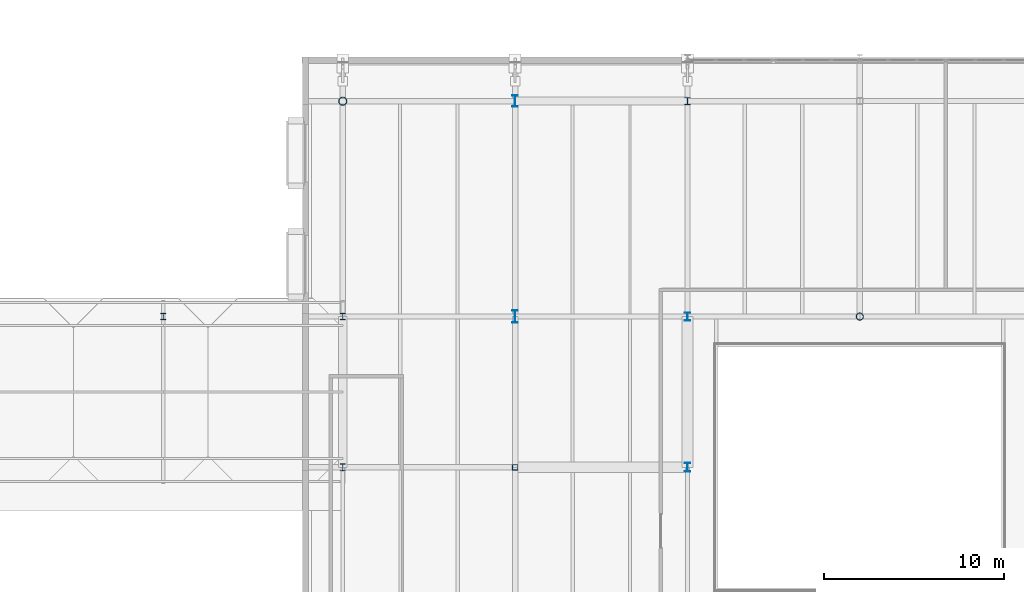
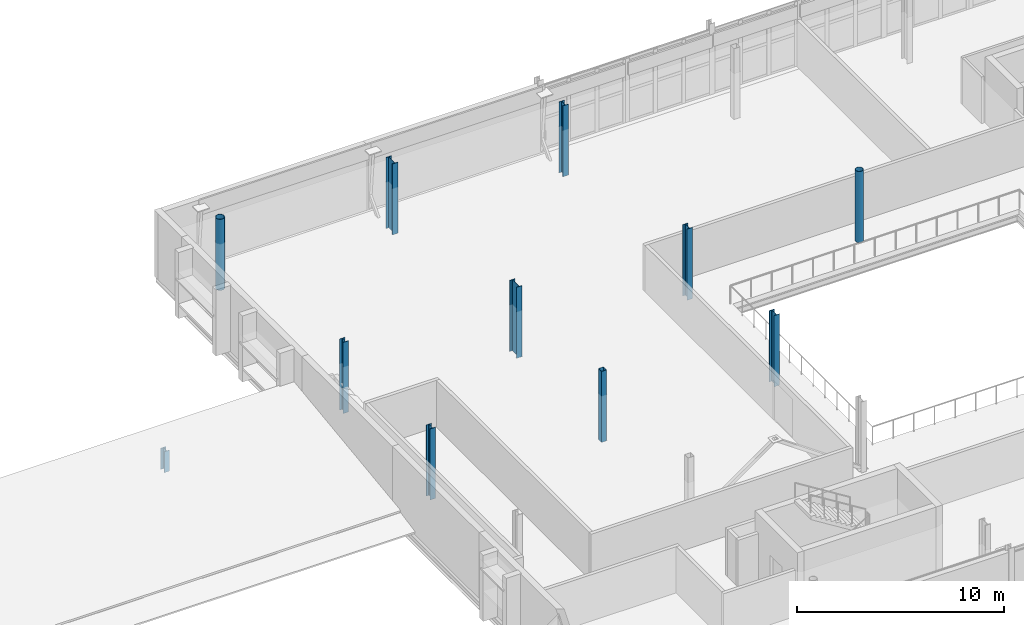
# One storey, part 7 of 90: 11 columns.
"""IFC4 building model written with IfcOpenShell, lengths in metres."""

import ifcopenshell
import ifcopenshell.guid

model = None  # the IFC model being written
_history = None  # IfcOwnerHistory: only IFC2X3 demands one
_inside = {}  # id of a spatial element -> (the spatial element, [elements in it])
_under = {}  # id of a project, library or spatial element -> (it, [spatial elements below it])
_declared = {}  # id of a project -> (the project, [libraries it declares])
_typed = {}  # id of a type object -> (the type object, [elements of that type])
_made_of = {}  # id of a material, layer set ... -> (it, [elements and type objects made of it])


def new_model(schema):
    """Start an empty IFC model of exactly this schema.

    Asked for "IFC4X3", IfcOpenShell would pick the latest addendum, in which some entities
    have other attributes; the version numbers below select the first issue.
    IFC2X3 requires an IfcOwnerHistory on every rooted entity: one is made here for all.
    """
    global model, _history
    if schema == "IFC4X3":
        model = ifcopenshell.file(schema_version=(4, 3, 0, 0))
    else:
        model = ifcopenshell.file(schema=schema)
    _inside.clear()
    _under.clear()
    _declared.clear()
    _typed.clear()
    _made_of.clear()
    _history = None
    if model.schema == "IFC2X3":
        org = make("IfcOrganization", Name="unknown")
        user = make(
            "IfcPersonAndOrganization",
            ThePerson=make("IfcPerson", FamilyName="unknown"),
            TheOrganization=org,
        )
        app = make(
            "IfcApplication",
            ApplicationDeveloper=org,
            Version="unknown",
            ApplicationFullName="unknown",
            ApplicationIdentifier="unknown",
        )
        _history = make(
            "IfcOwnerHistory",
            OwningUser=user,
            OwningApplication=app,
            ChangeAction="ADDED",
            CreationDate=0,
        )
    return model


def make(cls, **values):
    """One entity of the class cls with the attributes given. An attribute that is None is left unset."""
    return model.create_entity(
        cls, **{name: value for name, value in values.items() if value is not None}
    )


def rooted(cls, **values):
    """An entity with a GlobalId (a new one), such as an element, a storey or a relation."""
    return make(cls, GlobalId=ifcopenshell.guid.new(), OwnerHistory=_history, **values)


def si_unit(unit_type, name, prefix=None):
    """IfcSIUnit, for example si_unit("LENGTHUNIT", "METRE", prefix="MILLI")."""
    return make("IfcSIUnit", UnitType=unit_type, Prefix=prefix, Name=name)


def assignment(units):
    """IfcUnitAssignment: the units of a project."""
    return None if units is None else make("IfcUnitAssignment", Units=units)


def point(xyz):
    """IfcCartesianPoint."""
    return None if xyz is None else make("IfcCartesianPoint", Coordinates=xyz)


def direction(xyz):
    """IfcDirection."""
    return None if xyz is None else make("IfcDirection", DirectionRatios=xyz)


def frame(location, z_axis=None, x_axis=None):
    """IfcAxis2Placement3D, a coordinate frame: its origin and axes. An axis left out is left unset."""
    return make(
        "IfcAxis2Placement3D",
        Location=point(location),
        Axis=direction(z_axis),
        RefDirection=direction(x_axis),
    )


def frame_2d(location, x_axis=None):
    """IfcAxis2Placement2D, a coordinate frame in the plane: its origin and x axis."""
    return make(
        "IfcAxis2Placement2D", Location=point(location), RefDirection=direction(x_axis)
    )


def origin():
    """The frame at (0, 0, 0) with its axes left unset."""
    return frame((0.0, 0.0, 0.0))


def origin_2d():
    """The frame at (0, 0) in the plane with its x axis left unset."""
    return frame_2d((0.0, 0.0))


def place(relative_to, where):
    """IfcLocalPlacement: puts the frame where relative to a parent placement (None: the world)."""
    return make(
        "IfcLocalPlacement", PlacementRelTo=relative_to, RelativePlacement=where
    )


def context(
    kind, dimensions, precision=None, world=None, true_north=None, identifier=None
):
    """IfcGeometricRepresentationContext, for example the 3D "Model" context."""
    return make(
        "IfcGeometricRepresentationContext",
        ContextIdentifier=identifier,
        ContextType=kind,
        CoordinateSpaceDimension=dimensions,
        Precision=precision,
        WorldCoordinateSystem=world,
        TrueNorth=true_north,
    )


def subcontext(parent, identifier, kind, view, scale=None):
    """IfcGeometricRepresentationSubContext, for example "Body" below "Model"."""
    return make(
        "IfcGeometricRepresentationSubContext",
        ContextIdentifier=identifier,
        ContextType=kind,
        ParentContext=parent,
        TargetScale=scale,
        TargetView=view,
    )


def project(units=None, contexts=None):
    """IfcProject with its units and contexts."""
    return rooted(
        "IfcProject",
        Name="project",
        RepresentationContexts=contexts,
        UnitsInContext=assignment(units),
    )


def spatial(cls, under=None, at=None, **own):
    """A site, building, storey or space (cls), placed at a placement, below another one or the project."""
    s = rooted(cls, ObjectPlacement=at, **own)
    if under is not None:
        _under.setdefault(under.id(), (under, []))[1].append(s)
    return s


def profile(cls, at=None, kind="AREA", **sizes):
    """A parametric profile (cls). Its sizes go by their IFC names, for example OverallWidth=200.0."""
    return make(cls, ProfileType=kind, Position=at, **sizes)


def hollow_rectangle(**sizes):
    """IfcRectangleHollowProfileDef."""
    return profile("IfcRectangleHollowProfileDef", **sizes)


def hollow_circle(**sizes):
    """IfcCircleHollowProfileDef."""
    return profile("IfcCircleHollowProfileDef", **sizes)


def i_section(**sizes):
    """IfcIShapeProfileDef."""
    return profile("IfcIShapeProfileDef", **sizes)


def extrude(swept, where, along, depth):
    """IfcExtrudedAreaSolid: the profile swept, set in the frame where, extruded along a direction by depth."""
    return make(
        "IfcExtrudedAreaSolid",
        SweptArea=swept,
        Position=where,
        ExtrudedDirection=direction(along),
        Depth=depth,
    )


def shape(context_of_items, identifier, shape_type, items):
    """IfcShapeRepresentation: the items that make up one representation, for example the "Body"."""
    return make(
        "IfcShapeRepresentation",
        ContextOfItems=context_of_items,
        RepresentationIdentifier=identifier,
        RepresentationType=shape_type,
        Items=items,
    )


def material(Name=None, Category=None):
    """IfcMaterial."""
    return make("IfcMaterial", Name=Name, Category=Category)


def material_profile(
    of_material, cross_section, Name=None, Category=None, Priority=None
):
    """IfcMaterialProfile: a cross section and its material."""
    return make(
        "IfcMaterialProfile",
        Name=Name,
        Material=of_material,
        Profile=cross_section,
        Priority=Priority,
        Category=Category,
    )


def profile_set(profiles, Name=None, composite=None):
    """IfcMaterialProfileSet."""
    return make(
        "IfcMaterialProfileSet",
        Name=Name,
        MaterialProfiles=profiles,
        CompositeProfile=composite,
    )


def made_of(thing, what):
    """Note that an element or type object is made of a material, layer set ...; save() writes the relation."""
    if what is not None:
        _made_of.setdefault(what.id(), (what, []))[1].append(thing)
    return thing


def type_object(cls, material=None, **own):
    """A type object (cls), such as IfcWallType, which elements share."""
    return made_of(rooted(cls, **own), material)


def element(
    cls,
    number,
    at=None,
    inside=None,
    cuts=None,
    type_object=None,
    material=None,
    context=None,
    identifier="Body",
    shape_type=None,
    held_by="IfcProductDefinitionShape",
    body=None,
    shapes=None,
    **own,
):
    """One element of the class cls, such as IfcWall. Its Tag is "e" and its number.

    at: its placement. inside: the storey or other place that contains it. cuts: it is an
    opening in that element (IfcRelVoidsElement). A single representation is given by context,
    identifier, shape_type and body (its items); several are given by shapes. held_by: the class
    of the entity that holds the representations. save() writes the other relations.
    """
    e = rooted(cls, Tag="e%d" % number, ObjectPlacement=at, **own)
    if body is not None:
        shapes = [shape(context, identifier, shape_type, body)]
    if shapes is not None:
        e.Representation = make(held_by, Representations=shapes)
    if inside is not None:
        _inside.setdefault(inside.id(), (inside, []))[1].append(e)
    if cuts is not None:
        rooted(
            "IfcRelVoidsElement", RelatingBuildingElement=cuts, RelatedOpeningElement=e
        )
    if type_object is not None:
        _typed.setdefault(type_object.id(), (type_object, []))[1].append(e)
    return made_of(e, material)


def aggregate(whole, parts):
    """IfcRelAggregates: a whole, such as a stair, and the parts it consists of."""
    return rooted("IfcRelAggregates", RelatingObject=whole, RelatedObjects=parts)


def save(model, path):
    """Write the relations noted so far, then the file.

    IfcRelAggregates (storeys below a building ...), IfcRelContainedInSpatialStructure (elements
    in a storey), IfcRelDefinesByType, IfcRelAssociatesMaterial and IfcRelDeclares: one each for
    every whole, place, type object, material and project.
    """
    for whole, parts in _under.values():
        aggregate(whole, parts)
    for where, things in _inside.values():
        rooted(
            "IfcRelContainedInSpatialStructure",
            RelatedElements=things,
            RelatingStructure=where,
        )
    for kind, things in _typed.values():
        rooted("IfcRelDefinesByType", RelatedObjects=things, RelatingType=kind)
    for what, things in _made_of.values():
        rooted("IfcRelAssociatesMaterial", RelatedObjects=things, RelatingMaterial=what)
    for by, libraries in _declared.values():
        rooted("IfcRelDeclares", RelatingContext=by, RelatedDefinitions=libraries)
    model.write(path)


model = new_model("IFC4")

# Units and contexts
model_context = context("Model", 3, precision=1e-05, world=origin(), true_north=direction((0.0, 1.0)))
body_context = subcontext(model_context, "Body", "Model", "MODEL_VIEW")
ifc_project = project(units=[si_unit("LENGTHUNIT", "METRE"), si_unit("AREAUNIT", "SQUARE_METRE"), si_unit("VOLUMEUNIT", "CUBIC_METRE"), si_unit("PLANEANGLEUNIT", "RADIAN"), si_unit("MASSUNIT", "GRAM", prefix="KILO")], contexts=[model_context])

# Site, building, storey
site_placement = place(None, origin())
site = spatial("IfcSite", under=ifc_project, at=site_placement, CompositionType="ELEMENT")
building_placement = place(site_placement, origin())
building = spatial("IfcBuilding", under=site, at=building_placement, Name="Zereglee Splitstone Museum", CompositionType="ELEMENT")
storey_placement = place(building_placement, frame((0.0, 0.0, 4.800048828125)))
storey = spatial("IfcBuildingStorey", under=building, at=storey_placement, Name="L01", CompositionType="ELEMENT", Elevation=4.800048828125)

# Columns
ifc_material_1 = material(Name="Steel S355J2H", Category="steel")
ifc_material_profile_1 = material_profile(ifc_material_1, hollow_circle(Radius=0.203125, WallThickness=0.02001953125, at=origin_2d()), Name="CHS 406.4x20")
ifc_profile_set_1 = profile_set([ifc_material_profile_1], Name="Steel S355J2H")
column_type_1 = type_object("IfcColumnType", Name="C-18", PredefinedType="COLUMN", material=ifc_profile_set_1)
column_1_placement = place(storey_placement, frame((106.800048828125, 38.39990234375, 0.0), z_axis=(0.0, 0.0, 1.0), x_axis=(1.0, 0.0, 0.0)))
element("IfcColumn", 1, at=column_1_placement, inside=storey, type_object=column_type_1, Name="Column 13/E L01", PredefinedType="COLUMN", context=body_context, shape_type="SweptSolid", body=[
    extrude(hollow_circle(Radius=0.203125, WallThickness=0.02001953125, at=origin_2d()), origin(), (0.0, 0.0, 1.0), 4.199951171875),
])
ifc_material_profile_2 = material_profile(ifc_material_1, hollow_circle(Radius=0.228515625, WallThickness=0.02001953125, at=origin_2d()), Name="CHS 457.0x20")
ifc_profile_set_2 = profile_set([ifc_material_profile_2], Name="Steel S355J2H")
column_type_2 = type_object("IfcColumnType", Name="C-17", PredefinedType="COLUMN", material=ifc_profile_set_2)
column_2_placement = place(storey_placement, frame((78.0, 50.39990234375, 0.0), z_axis=(0.0, 0.0, 1.0), x_axis=(1.0, 0.0, 0.0)))
element("IfcColumn", 2, at=column_2_placement, inside=storey, type_object=column_type_2, Name="Column 10/F L01", PredefinedType="COLUMN", context=body_context, shape_type="SweptSolid", body=[
    extrude(hollow_circle(Radius=0.228515625, WallThickness=0.02001953125, at=origin_2d()), origin(), (0.0, 0.0, 1.0), 4.199951171875),
])
ifc_material_2 = material(Name="Steel S355J2", Category="steel")
ifc_material_profile_3 = material_profile(ifc_material_2, i_section(OverallWidth=0.300048828125, OverallDepth=0.360107421875, WebThickness=0.012451171875, FlangeThickness=0.0224609375, FilletRadius=0.027099609375, at=origin_2d()), Name="HE 360 B")
ifc_profile_set_3 = profile_set([ifc_material_profile_3], Name="Steel S355J2")
column_type_3 = type_object("IfcColumnType", Name="C-16", PredefinedType="COLUMN", material=ifc_profile_set_3)
column_3_placement = place(storey_placement, frame((78.0, 38.39990234375, 0.0), z_axis=(0.0, 0.0, 1.0), x_axis=(1.0, 0.0, 0.0)))
element("IfcColumn", 3, at=column_3_placement, inside=storey, type_object=column_type_3, Name="Column 10/E L01", PredefinedType="COLUMN", context=body_context, shape_type="SweptSolid", body=[
    extrude(i_section(OverallWidth=0.300048828125, OverallDepth=0.360107421875, WebThickness=0.012451171875, FlangeThickness=0.0224609375, FilletRadius=0.027099609375, at=origin_2d()), origin(), (0.0, 0.0, 1.0), 4.199951171875),
])
column_4_placement = place(storey_placement, frame((68.0, 38.39990234375, 0.0), z_axis=(0.0, 0.0, 1.0), x_axis=(1.0, 0.0, 0.0)))
element("IfcColumn", 4, at=column_4_placement, inside=storey, type_object=column_type_3, Name="Roof Support Column RF-L1 (68.0,38.4)", PredefinedType="COLUMN", context=body_context, shape_type="SweptSolid", body=[
    extrude(i_section(OverallWidth=0.300048828125, OverallDepth=0.360107421875, WebThickness=0.012451171875, FlangeThickness=0.0224609375, FilletRadius=0.027099609375, at=origin_2d()), origin(), (0.0, 0.0, 1.0), 1.2451171875),
])
ifc_material_profile_4 = material_profile(ifc_material_2, i_section(OverallWidth=0.300048828125, OverallDepth=0.39990234375, WebThickness=0.013427734375, FlangeThickness=0.02392578125, FilletRadius=0.027099609375, at=origin_2d()), Name="HE 400 B")
ifc_profile_set_4 = profile_set([ifc_material_profile_4], Name="Steel S355J2")
column_type_4 = type_object("IfcColumnType", Name="C-15", PredefinedType="COLUMN", material=ifc_profile_set_4)
for number, where, z_axis, x_axis, name in (
    (5, (78.0, 30.0, 0.0), (0.0, 0.0, 1.0), (1.0, 0.0, 0.0), "Column 10/D L01"),
    (6, (97.199951171875, 50.39990234375, 0.0), (0.0, 0.0, 1.0), (1.0, 0.0, 0.0), "Column 12/F L01"),
):
    element("IfcColumn", number, at=place(storey_placement, frame(where, z_axis=z_axis, x_axis=x_axis)), inside=storey, type_object=column_type_4, Name=name, PredefinedType="COLUMN", context=body_context, shape_type="SweptSolid", body=[
        extrude(i_section(OverallWidth=0.300048828125, OverallDepth=0.39990234375, WebThickness=0.013427734375, FlangeThickness=0.02392578125, FilletRadius=0.027099609375, at=origin_2d()), origin(), (0.0, 0.0, 1.0), 4.199951171875),
    ])
ifc_material_profile_5 = material_profile(ifc_material_2, i_section(OverallWidth=0.300048828125, OverallDepth=0.449951171875, WebThickness=0.013916015625, FlangeThickness=0.02587890625, FilletRadius=0.027099609375, at=origin_2d()), Name="HE 450 B")
ifc_profile_set_5 = profile_set([ifc_material_profile_5], Name="Steel S355J2")
column_type_5 = type_object("IfcColumnType", Name="C-14", PredefinedType="COLUMN", material=ifc_profile_set_5)
column_5_placement = place(storey_placement, frame((97.199951171875, 38.39990234375, 0.0), z_axis=(0.0, 0.0, 1.0), x_axis=(1.0, 0.0, 0.0)))
element("IfcColumn", 7, at=column_5_placement, inside=storey, type_object=column_type_5, Name="Column 12/E L01", PredefinedType="COLUMN", context=body_context, shape_type="SweptSolid", body=[
    extrude(i_section(OverallWidth=0.300048828125, OverallDepth=0.449951171875, WebThickness=0.013916015625, FlangeThickness=0.02587890625, FilletRadius=0.027099609375, at=origin_2d()), origin(), (0.0, 0.0, 1.0), 4.199951171875),
])
ifc_material_profile_6 = material_profile(ifc_material_2, i_section(OverallWidth=0.300048828125, OverallDepth=0.5, WebThickness=0.014404296875, FlangeThickness=0.028076171875, FilletRadius=0.027099609375, at=origin_2d()), Name="HE 500 B")
ifc_profile_set_6 = profile_set([ifc_material_profile_6], Name="Steel S355J2")
column_type_6 = type_object("IfcColumnType", Name="C-13", PredefinedType="COLUMN", material=ifc_profile_set_6)
column_6_placement = place(storey_placement, frame((97.199951171875, 30.0, 0.0), z_axis=(0.0, 0.0, 1.0), x_axis=(1.0, 0.0, 0.0)))
element("IfcColumn", 8, at=column_6_placement, inside=storey, type_object=column_type_6, Name="Column 12/D L01", PredefinedType="COLUMN", context=body_context, shape_type="SweptSolid", body=[
    extrude(i_section(OverallWidth=0.300048828125, OverallDepth=0.5, WebThickness=0.014404296875, FlangeThickness=0.028076171875, FilletRadius=0.027099609375, at=origin_2d()), origin(), (0.0, 0.0, 1.0), 4.199951171875),
])
ifc_material_profile_7 = material_profile(ifc_material_2, i_section(OverallWidth=0.300048828125, OverallDepth=0.64990234375, WebThickness=0.01611328125, FlangeThickness=0.031005859375, FilletRadius=0.027099609375, at=origin_2d()), Name="HE 650 B")
ifc_profile_set_7 = profile_set([ifc_material_profile_7], Name="Steel S355J2")
column_type_7 = type_object("IfcColumnType", Name="C-10", PredefinedType="COLUMN", material=ifc_profile_set_7)
column_7_placement = place(storey_placement, frame((87.60009765625, 50.39990234375, 0.0), z_axis=(0.0, 0.0, 1.0), x_axis=(1.0, 0.0, 0.0)))
element("IfcColumn", 9, at=column_7_placement, inside=storey, type_object=column_type_7, Name="Column 11/F L01", PredefinedType="COLUMN", context=body_context, shape_type="SweptSolid", body=[
    extrude(i_section(OverallWidth=0.300048828125, OverallDepth=0.64990234375, WebThickness=0.01611328125, FlangeThickness=0.031005859375, FilletRadius=0.027099609375, at=origin_2d()), origin(), (0.0, 0.0, 1.0), 4.199951171875),
])
ifc_material_profile_8 = material_profile(ifc_material_2, i_section(OverallWidth=0.300048828125, OverallDepth=0.699951171875, WebThickness=0.01708984375, FlangeThickness=0.031982421875, FilletRadius=0.027099609375, at=origin_2d()), Name="HE 700 B")
ifc_profile_set_8 = profile_set([ifc_material_profile_8], Name="Steel S355J2")
column_type_8 = type_object("IfcColumnType", Name="C-09", PredefinedType="COLUMN", material=ifc_profile_set_8)
column_8_placement = place(storey_placement, frame((87.60009765625, 38.39990234375, 0.0), z_axis=(0.0, 0.0, 1.0), x_axis=(1.0, 0.0, 0.0)))
element("IfcColumn", 10, at=column_8_placement, inside=storey, type_object=column_type_8, Name="Column 11/E L01", PredefinedType="COLUMN", context=body_context, shape_type="SweptSolid", body=[
    extrude(i_section(OverallWidth=0.300048828125, OverallDepth=0.699951171875, WebThickness=0.01708984375, FlangeThickness=0.031982421875, FilletRadius=0.027099609375, at=origin_2d()), origin(), (0.0, 0.0, 1.0), 4.199951171875),
])
ifc_material_profile_9 = material_profile(ifc_material_1, hollow_rectangle(XDim=0.300048828125, YDim=0.300048828125, WallThickness=0.01611328125, at=origin_2d()), Name="SHS 300x300x16")
ifc_profile_set_9 = profile_set([ifc_material_profile_9], Name="Steel S355J2H")
column_type_9 = type_object("IfcColumnType", Name="C-20", PredefinedType="COLUMN", material=ifc_profile_set_9)
column_9_placement = place(storey_placement, frame((87.60009765625, 30.0, 0.0), z_axis=(0.0, 0.0, 1.0), x_axis=(1.0, 0.0, 0.0)))
element("IfcColumn", 11, at=column_9_placement, inside=storey, type_object=column_type_9, Name="Column 11/D L01", PredefinedType="COLUMN", context=body_context, shape_type="SweptSolid", body=[
    extrude(hollow_rectangle(XDim=0.300048828125, YDim=0.300048828125, WallThickness=0.01611328125, at=origin_2d()), origin(), (0.0, 0.0, 1.0), 4.199951171875),
])

save(model, "model.ifc")
